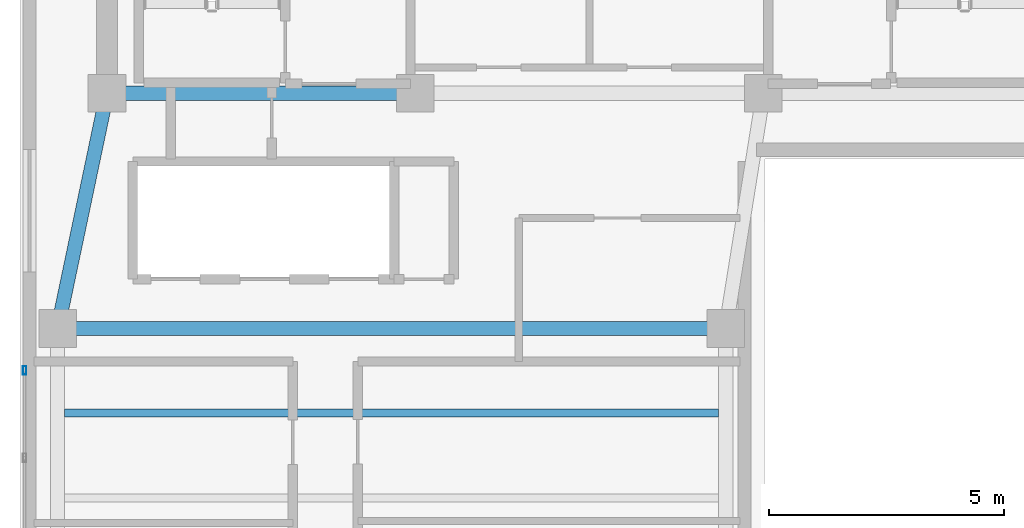
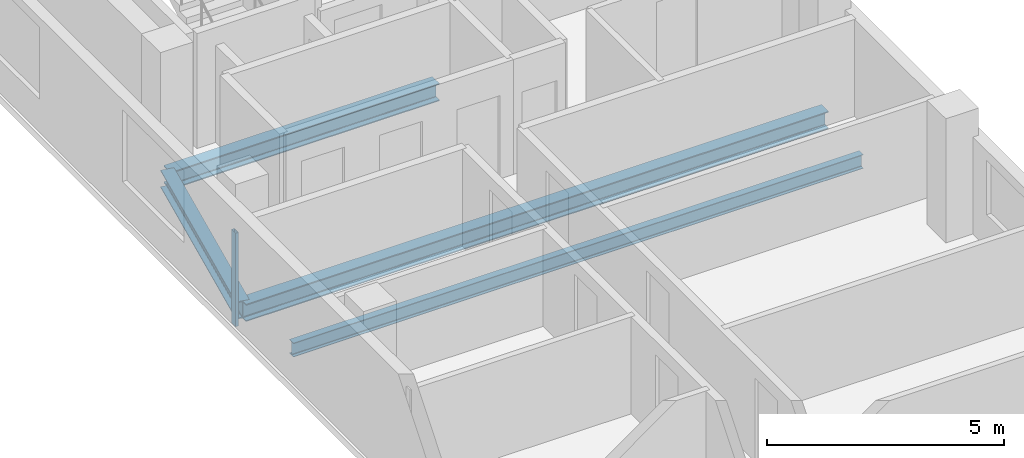
# One storey, part 5 of 9: 4 beams, 1 member, 1 element without a shape of its own.
"""IFC4 building model written with IfcOpenShell, lengths in metres."""

from ifc_helpers import new_model, si_unit, direction, frame, origin, origin_2d, place, context, subcontext, project, spatial, hollow_rectangle, i_section, extrude, material, material_profile, profile_set, type_object, element, aggregate, save


model = new_model("IFC4")

# Units and contexts
model_context = context("Model", 3, precision=1e-05, world=origin(), true_north=direction((0.0, 1.0)))
body_context = subcontext(model_context, "Body", "Model", "MODEL_VIEW")
ifc_project = project(units=[si_unit("LENGTHUNIT", "METRE"), si_unit("AREAUNIT", "SQUARE_METRE"), si_unit("VOLUMEUNIT", "CUBIC_METRE"), si_unit("PLANEANGLEUNIT", "RADIAN"), si_unit("MASSUNIT", "GRAM", prefix="KILO")], contexts=[model_context])

# Site, building, storey
site_placement = place(None, origin())
site = spatial("IfcSite", under=ifc_project, at=site_placement, CompositionType="ELEMENT")
building_placement = place(site_placement, origin())
building = spatial("IfcBuilding", under=site, at=building_placement, Name="Kuzgunbayir Cultural Tower", CompositionType="ELEMENT")
storey_placement = place(building_placement, frame((0.0, 0.0, 247.199951171875)))
storey = spatial("IfcBuildingStorey", under=building, at=storey_placement, Name="L73", CompositionType="ELEMENT", Elevation=247.199951171875)

# Beams
ifc_material_1 = material(Name="Steel S355J2", Category="steel")
ifc_material_profile_1 = material_profile(ifc_material_1, i_section(OverallWidth=0.300048828125, OverallDepth=0.449951171875, WebThickness=0.013916015625, FlangeThickness=0.02587890625, FilletRadius=0.027099609375, at=origin_2d()), Name="HEB 450")
ifc_profile_set_1 = profile_set([ifc_material_profile_1], Name="Steel S355J2")
beam_type_1 = type_object("IfcBeamType", Name="BM-GIR-HEB450", PredefinedType="BEAM", material=ifc_profile_set_1)
beam_1_placement = place(storey_placement, frame((6.449951171875, 33.800048828125, -0.39990234375), z_axis=(1.0, 0.0, 0.0), x_axis=(0.0, 1.0, 0.0)))
element("IfcBeam", 1, at=beam_1_placement, inside=storey, type_object=beam_type_1, Name="L73 Core South Girder 1", PredefinedType="BEAM", context=body_context, shape_type="SweptSolid", body=[
    extrude(i_section(OverallWidth=0.300048828125, OverallDepth=0.449951171875, WebThickness=0.013916015625, FlangeThickness=0.02587890625, FilletRadius=0.027099609375, at=origin_2d()), origin(), (0.0, 0.0, 1.0), 6.550048828125),
])
beam_2_placement = place(storey_placement, frame((5.39990234375, 28.800048828125, -0.39990234375), z_axis=(1.0, 0.0, 0.0), x_axis=(0.0, 1.0, 0.0)))
element("IfcBeam", 2, at=beam_2_placement, inside=storey, type_object=beam_type_1, Name="L73 Wing A Transverse Girder 4", PredefinedType="BEAM", context=body_context, shape_type="SweptSolid", body=[
    extrude(i_section(OverallWidth=0.300048828125, OverallDepth=0.449951171875, WebThickness=0.013916015625, FlangeThickness=0.02587890625, FilletRadius=0.027099609375, at=origin_2d()), origin(), (0.0, 0.0, 1.0), 14.2001953125),
])
beam_3_placement = place(storey_placement, frame((5.39990234375, 28.800048828125, -0.39990234375), z_axis=(0.205526387753, 0.978651574329, 0.0), x_axis=(-0.978651574329, 0.205526387753, 0.0)))
element("IfcBeam", 3, at=beam_3_placement, inside=storey, type_object=beam_type_1, Name="L73 Wing A West Core Floor Girder", PredefinedType="BEAM", context=body_context, shape_type="SweptSolid", body=[
    extrude(i_section(OverallWidth=0.300048828125, OverallDepth=0.449951171875, WebThickness=0.013916015625, FlangeThickness=0.02587890625, FilletRadius=0.027099609375, at=origin_2d()), origin(), (0.0, 0.0, 1.0), 5.109130859375),
])
ifc_material_profile_2 = material_profile(ifc_material_1, i_section(OverallWidth=0.169921875, OverallDepth=0.360107421875, WebThickness=0.008056640625, FlangeThickness=0.0126953125, FilletRadius=0.01806640625, at=origin_2d()), Name="IPE 360")
ifc_profile_set_2 = profile_set([ifc_material_profile_2], Name="Steel S355J2")
beam_type_2 = type_object("IfcBeamType", Name="BM-JST-IPE360", PredefinedType="JOIST", material=ifc_profile_set_2)
beam_4_placement = place(storey_placement, frame((5.550048828125, 27.0, -0.35986328125), z_axis=(1.0, 0.0, 0.0), x_axis=(0.0, 1.0, 0.0)))
element("IfcBeam", 4, at=beam_4_placement, inside=storey, type_object=beam_type_2, Name="L73 Wing A Secondary Joist 6", PredefinedType="JOIST", context=body_context, shape_type="SweptSolid", body=[
    extrude(i_section(OverallWidth=0.169921875, OverallDepth=0.360107421875, WebThickness=0.008056640625, FlangeThickness=0.0126953125, FilletRadius=0.01806640625, at=origin_2d()), origin(), (0.0, 0.0, 1.0), 13.89990234375),
])

# Curtain wall, member
ifc_material_2 = material(Name="Anodised Aluminium Framing", Category="aluminium")
curtain_wall_type = type_object("IfcCurtainWallType", Name="CW06-OBSERVATORY", PredefinedType="NOTDEFINED", material=ifc_material_2)
curtain_wall_placement = place(storey_placement, origin())
curtain_wall = element("IfcCurtainWall", 5, at=curtain_wall_placement, inside=storey, type_object=curtain_wall_type, Name="L73 Crown Observatory West Curtain Wall", PredefinedType="NOTDEFINED")
ifc_material_profile_3 = material_profile(ifc_material_2, hollow_rectangle(XDim=0.074951171875, YDim=0.179931640625, WallThickness=0.0048828125, at=origin_2d()), Name="RHS 180x75x5")
ifc_profile_set_3 = profile_set([ifc_material_profile_3], Name="Anodised Aluminium Framing")
member_type = type_object("IfcMemberType", Name="MEM-CW-MULLION-180", PredefinedType="MULLION", material=ifc_profile_set_3)
member_placement = place(storey_placement, frame((4.699951171875, 27.91259765625, 0.0), z_axis=(0.0, 0.0, 1.0), x_axis=(-1.0, 0.0, 0.0)))
member = element("IfcMember", 6, at=member_placement, type_object=member_type, Name="CW06 mullion 3", PredefinedType="MULLION", context=body_context, shape_type="SweptSolid", body=[
    extrude(hollow_rectangle(XDim=0.074951171875, YDim=0.179931640625, WallThickness=0.0048828125, at=origin_2d()), origin(), (0.0, 0.0, 1.0), 2.41015625),
])
aggregate(curtain_wall, [member])

save(model, "model.ifc")
